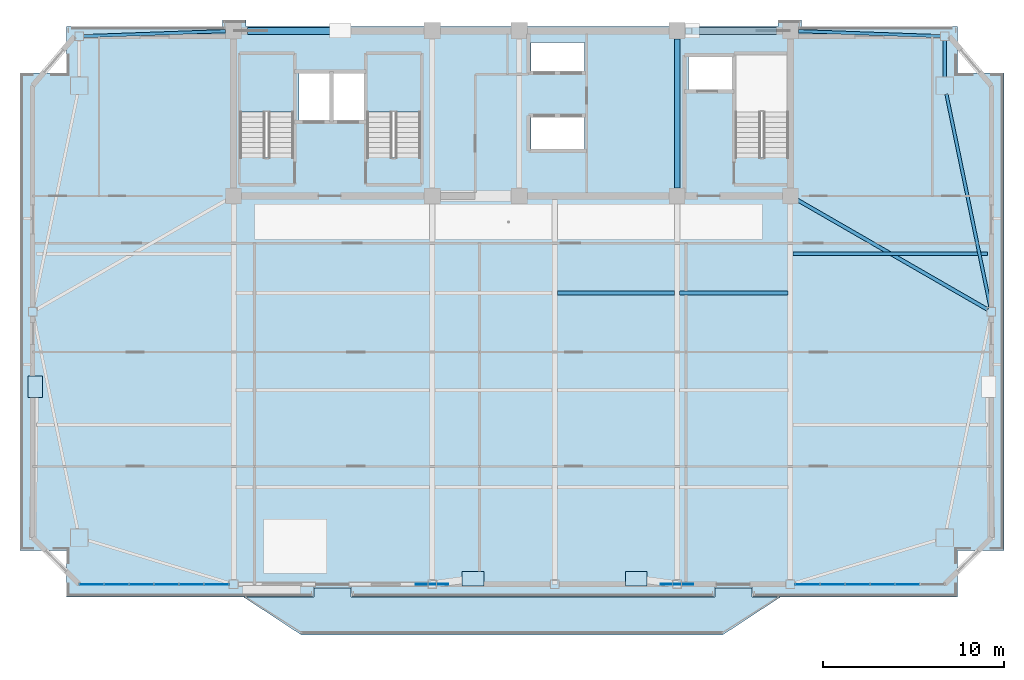
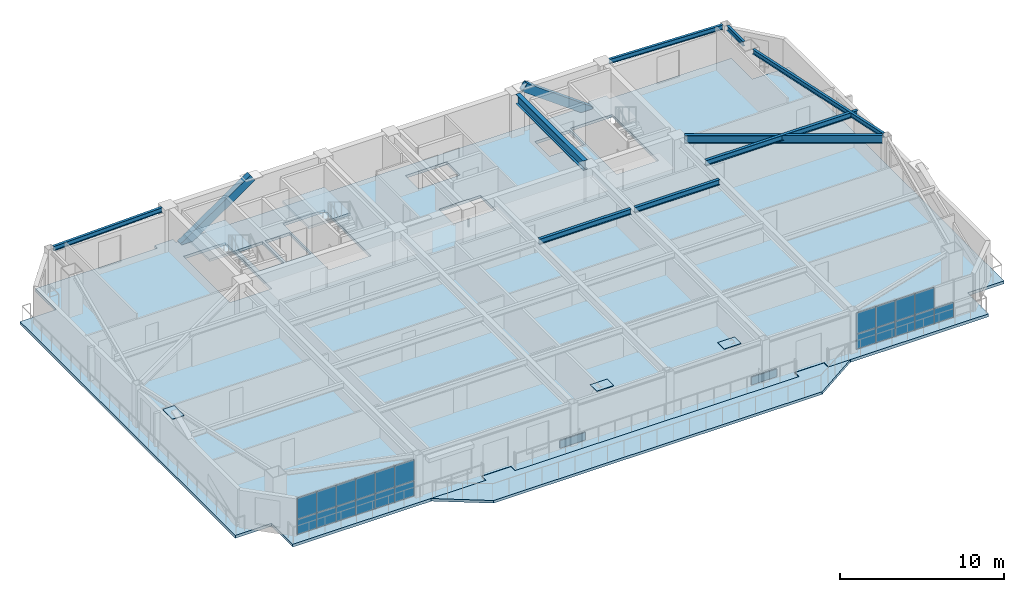
# One storey, part 7 of 18: 26 plates, 9 beams, 4 slabs, 2 members, 4 elements without a shape of their own.
"""IFC4 building model written with IfcOpenShell, lengths in metres."""

from ifc_helpers import new_model, si_unit, direction, frame, origin, origin_2d, place, context, subcontext, project, spatial, polyline, rectangle, hollow_rectangle, i_section, outline, extrude, source, transform, mapped, material, layer, layer_set, material_profile, profile_set, type_object, element, aggregate, save


model = new_model("IFC4")

# Units and contexts
model_context = context("Model", 3, precision=1e-05, world=origin(), true_north=direction((0.0, 1.0)))
body_context = subcontext(model_context, "Body", "Model", "MODEL_VIEW")
ifc_project = project(units=[si_unit("LENGTHUNIT", "METRE"), si_unit("AREAUNIT", "SQUARE_METRE"), si_unit("VOLUMEUNIT", "CUBIC_METRE"), si_unit("PLANEANGLEUNIT", "RADIAN"), si_unit("MASSUNIT", "GRAM", prefix="KILO")], contexts=[model_context])

# Site, building, storey
site_placement = place(None, origin())
site = spatial("IfcSite", under=ifc_project, at=site_placement, CompositionType="ELEMENT")
building_placement = place(site_placement, origin())
building = spatial("IfcBuilding", under=site, at=building_placement, Name="Giltprow Tower", CompositionType="ELEMENT")
storey_placement = place(building_placement, frame((0.0, 0.0, 258.699951171875)))
storey = spatial("IfcBuildingStorey", under=building, at=storey_placement, Name="L66", CompositionType="ELEMENT", Elevation=258.699951171875)

# Beams
ifc_material_1 = material(Name="Structural steel Q355B", Category="steel")
ifc_material_profile_1 = material_profile(ifc_material_1, i_section(OverallWidth=0.199951171875, OverallDepth=0.39990234375, WebThickness=0.008056640625, FlangeThickness=0.012939453125, at=origin_2d()), Name="HN 400x200x8x13")
ifc_profile_set_1 = profile_set([ifc_material_profile_1], Name="Structural steel Q355B")
beam_type_1 = type_object("IfcBeamType", Name="BM-JOIST-HN400", PredefinedType="JOIST", material=ifc_profile_set_1)
shared_shape_1 = source(origin(), body_context, "Body", "SweptSolid", [
    extrude(i_section(OverallWidth=0.199951171875, OverallDepth=0.39990234375, WebThickness=0.008056640625, FlangeThickness=0.012939453125, at=origin_2d()), origin(), (0.0, 0.0, 1.0), 6.4599609375),
])
beam_1_placement = place(storey_placement, frame((37.695068359375, 32.09912109375, 2.985107421875), z_axis=(1.0, 0.0, 0.0), x_axis=(0.0, 1.0, 0.0)))
element("IfcBeam", 1, at=beam_1_placement, inside=storey, type_object=beam_type_1, Name="L66 Composite Floor Joist 3-3", PredefinedType="JOIST", context=body_context, shape_type="MappedRepresentation", body=[
    mapped(shared_shape_1, transform((0.0, 0.0, 0.0), x_axis=(1.0, 0.0, 0.0), y_axis=(0.0, 1.0, 0.0), z_axis=(0.0, 0.0, 1.0), scale=1.0)),
])
shared_shape_2 = source(origin(), body_context, "Body", "SweptSolid", [
    extrude(i_section(OverallWidth=0.199951171875, OverallDepth=0.39990234375, WebThickness=0.008056640625, FlangeThickness=0.012939453125, at=origin_2d()), origin(), (0.0, 0.0, 1.0), 5.9599609375),
])
beam_2_placement = place(storey_placement, frame((44.445068359375, 32.09912109375, 2.985107421875), z_axis=(1.0, 0.0, 0.0), x_axis=(0.0, 1.0, 0.0)))
element("IfcBeam", 2, at=beam_2_placement, inside=storey, type_object=beam_type_1, Name="L66 Composite Floor Joist 3-4", PredefinedType="JOIST", context=body_context, shape_type="MappedRepresentation", body=[
    mapped(shared_shape_2, transform((0.0, 0.0, 0.0), x_axis=(1.0, 0.0, 0.0), y_axis=(0.0, 1.0, 0.0), z_axis=(0.0, 0.0, 1.0), scale=1.0)),
])
ifc_material_profile_2 = material_profile(ifc_material_1, i_section(OverallWidth=0.175048828125, OverallDepth=0.35009765625, WebThickness=0.007080078125, FlangeThickness=0.010986328125, at=origin_2d()), Name="HN 350x175x7x11")
ifc_profile_set_2 = profile_set([ifc_material_profile_2], Name="Structural steel Q355B")
beam_type_2 = type_object("IfcBeamType", Name="BM-SPAN-HN350", PredefinedType="SPANDREL", material=ifc_profile_set_2)
shared_shape_3 = source(origin(), body_context, "Body", "SweptSolid", [
    extrude(i_section(OverallWidth=0.175048828125, OverallDepth=0.35009765625, WebThickness=0.007080078125, FlangeThickness=0.010986328125, at=origin_2d()), origin(), (0.0, 0.0, 1.0), 12.000244140625),
])
beam_3_placement = place(storey_placement, frame((61.574951171875, 31.302001953125, 3.010009765625), z_axis=(-0.202000773979, 0.979385362006, 0.0), x_axis=(-0.979385362006, -0.202000773979, 0.0)))
element("IfcBeam", 3, at=beam_3_placement, inside=storey, type_object=beam_type_2, Name="L66 Perimeter Spandrel Beam E_MID-MC_NE", PredefinedType="SPANDREL", context=body_context, shape_type="MappedRepresentation", body=[
    mapped(shared_shape_3, transform((0.0, 0.0, 0.0), x_axis=(1.0, 0.0, 0.0), y_axis=(0.0, 1.0, 0.0), z_axis=(0.0, 0.0, 1.0), scale=1.0)),
])
shared_shape_4 = source(origin(), body_context, "Body", "SweptSolid", [
    extrude(i_section(OverallWidth=0.175048828125, OverallDepth=0.35009765625, WebThickness=0.007080078125, FlangeThickness=0.010986328125, at=origin_2d()), origin(), (0.0, 0.0, 1.0), 2.0),
])
beam_4_placement = place(storey_placement, frame((59.052978515625, 44.014892578125, 3.010009765625), z_axis=(0.0, 1.0, 0.0), x_axis=(-1.0, 0.0, 0.0)))
element("IfcBeam", 4, at=beam_4_placement, inside=storey, type_object=beam_type_2, Name="L66 Perimeter Spandrel Beam MC_NE-N_E", PredefinedType="SPANDREL", context=body_context, shape_type="MappedRepresentation", body=[
    mapped(shared_shape_4, transform((0.0, 0.0, 0.0), x_axis=(1.0, 0.0, 0.0), y_axis=(0.0, 1.0, 0.0), z_axis=(0.0, 0.0, 1.0), scale=1.0)),
])
shared_shape_5 = source(origin(), body_context, "Body", "SweptSolid", [
    extrude(i_section(OverallWidth=0.199951171875, OverallDepth=0.39990234375, WebThickness=0.008056640625, FlangeThickness=0.012939453125, at=origin_2d()), origin(), (0.0, 0.0, 1.0), 10.70703125),
])
beam_5_placement = place(storey_placement, frame((50.695068359375, 34.260986328125, 2.985107421875), z_axis=(1.0, 0.0, 0.0), x_axis=(0.0, 1.0, 0.0)))
element("IfcBeam", 5, at=beam_5_placement, inside=storey, type_object=beam_type_1, Name="L66 East Wing Floor Joist 2", PredefinedType="JOIST", context=body_context, shape_type="MappedRepresentation", body=[
    mapped(shared_shape_5, transform((0.0, 0.0, 0.0), x_axis=(1.0, 0.0, 0.0), y_axis=(0.0, 1.0, 0.0), z_axis=(0.0, 0.0, 1.0), scale=1.0)),
])
ifc_material_profile_3 = material_profile(ifc_material_1, i_section(OverallWidth=0.300048828125, OverallDepth=0.699951171875, WebThickness=0.012939453125, FlangeThickness=0.02392578125, at=origin_2d()), Name="HN 700x300x13x24")
ifc_profile_set_3 = profile_set([ifc_material_profile_3], Name="Structural steel Q355B")
beam_type_3 = type_object("IfcBeamType", Name="BM-GIRD-HN700", PredefinedType="BEAM", material=ifc_profile_set_3)
shared_shape_6 = source(origin(), body_context, "Body", "SweptSolid", [
    extrude(i_section(OverallWidth=0.300048828125, OverallDepth=0.699951171875, WebThickness=0.012939453125, FlangeThickness=0.02392578125, at=origin_2d()), origin(), (0.0, 0.0, 1.0), 8.22998046875),
])
beam_6_placement = place(storey_placement, frame((44.300048828125, 37.885009765625, 2.8349609375), z_axis=(0.0, 1.0, 0.0), x_axis=(-1.0, 0.0, 0.0)))
element("IfcBeam", 6, at=beam_6_placement, inside=storey, type_object=beam_type_3, Name="L66 Core Tie Girder M3", PredefinedType="BEAM", context=body_context, shape_type="MappedRepresentation", body=[
    mapped(shared_shape_6, transform((0.0, 0.0, 0.0), x_axis=(1.0, 0.0, 0.0), y_axis=(0.0, 1.0, 0.0), z_axis=(0.0, 0.0, 1.0), scale=1.0)),
])
shared_shape_7 = source(origin(), body_context, "Body", "SweptSolid", [
    extrude(i_section(OverallWidth=0.175048828125, OverallDepth=0.35009765625, WebThickness=0.007080078125, FlangeThickness=0.010986328125, at=origin_2d()), origin(), (0.0, 0.0, 1.0), 7.8369140625),
])
beam_7_placement = place(storey_placement, frame((11.5830078125, 46.258056640625, 3.010009765625), z_axis=(0.999375804521, 0.035327062417, 0.0), x_axis=(-0.035327062417, 0.999375804521, 0.0)))
element("IfcBeam", 7, at=beam_7_placement, inside=storey, type_object=beam_type_2, Name="L66 North Wing Spandrel W", PredefinedType="SPANDREL", context=body_context, shape_type="MappedRepresentation", body=[
    mapped(shared_shape_7, transform((0.0, 0.0, 0.0), x_axis=(1.0, 0.0, 0.0), y_axis=(0.0, 1.0, 0.0), z_axis=(0.0, 0.0, 1.0), scale=1.0)),
])
shared_shape_8 = source(origin(), body_context, "Body", "SweptSolid", [
    extrude(i_section(OverallWidth=0.175048828125, OverallDepth=0.35009765625, WebThickness=0.007080078125, FlangeThickness=0.010986328125, at=origin_2d()), origin(), (0.0, 0.0, 1.0), 7.837890625),
])
beam_8_placement = place(storey_placement, frame((50.985107421875, 46.534912109375, 3.010009765625), z_axis=(0.999375960005, -0.035322663591, 0.0), x_axis=(0.035322663591, 0.999375960005, 0.0)))
element("IfcBeam", 8, at=beam_8_placement, inside=storey, type_object=beam_type_2, Name="L66 North Wing Spandrel E", PredefinedType="SPANDREL", context=body_context, shape_type="MappedRepresentation", body=[
    mapped(shared_shape_8, transform((0.0, 0.0, 0.0), x_axis=(1.0, 0.0, 0.0), y_axis=(0.0, 1.0, 0.0), z_axis=(0.0, 0.0, 1.0), scale=1.0)),
])
ifc_material_profile_4 = material_profile(ifc_material_1, i_section(OverallWidth=0.199951171875, OverallDepth=0.60009765625, WebThickness=0.010986328125, FlangeThickness=0.01708984375, at=origin_2d()), Name="HN 600x200x11x17")
ifc_profile_set_4 = profile_set([ifc_material_profile_4], Name="Structural steel Q355B")
beam_type_4 = type_object("IfcBeamType", Name="BM-GIRD-HN600", PredefinedType="BEAM", material=ifc_profile_set_4)
shared_shape_9 = source(origin(), body_context, "Body", "SweptSolid", [
    extrude(i_section(OverallWidth=0.199951171875, OverallDepth=0.60009765625, WebThickness=0.010986328125, FlangeThickness=0.01708984375, at=origin_2d()), origin(), (0.0, 0.0, 1.0), 12.107421875),
])
beam_9_placement = place(storey_placement, frame((61.41796875, 31.18896484375, 2.885009765625), z_axis=(-0.86649057832, 0.499193427123, 0.0), x_axis=(-0.499193427123, -0.86649057832, 0.0)))
element("IfcBeam", 9, at=beam_9_placement, inside=storey, type_object=beam_type_4, Name="L66 East Wing Primary Girder", PredefinedType="BEAM", context=body_context, shape_type="MappedRepresentation", body=[
    mapped(shared_shape_9, transform((0.0, 0.0, 0.0), x_axis=(1.0, 0.0, 0.0), y_axis=(0.0, 1.0, 0.0), z_axis=(0.0, 0.0, 1.0), scale=1.0)),
])

# Members
ifc_material_2 = material(Name="Structural steel Q420GJC", Category="steel")
ifc_material_profile_5 = material_profile(ifc_material_2, hollow_rectangle(XDim=0.39990234375, YDim=0.60009765625, WallThickness=0.028076171875, at=origin_2d()), Name="RHS 600x400x28")
ifc_profile_set_5 = profile_set([ifc_material_profile_5], Name="Structural steel Q420GJC")
member_type = type_object("IfcMemberType", Name="MBR-MEGA-RHS600", PredefinedType="BRACE", material=ifc_profile_set_5)
shared_shape_10 = source(origin(), body_context, "Body", "SweptSolid", [
    extrude(hollow_rectangle(XDim=0.39990234375, YDim=0.60009765625, WallThickness=0.028076171875, at=origin_2d()), origin(), (0.0, 0.0, 1.0), 5.990966796875),
])
member_1_placement = place(storey_placement, frame((20.800048828125, 46.550048828125, -0.139892578125), z_axis=(0.823374311816, 0.0, 0.56749867193), x_axis=(0.0, 1.0, 0.0)))
element("IfcMember", 10, at=member_1_placement, inside=storey, type_object=member_type, Name="L66 Chevron Mega-Brace N-L", PredefinedType="BRACE", context=body_context, shape_type="MappedRepresentation", body=[
    mapped(shared_shape_10, transform((0.0, 0.0, 0.0), x_axis=(1.0, 0.0, 0.0), y_axis=(0.0, 1.0, 0.0), z_axis=(0.0, 0.0, 1.0), scale=1.0)),
])
shared_shape_11 = source(origin(), body_context, "Body", "SweptSolid", [
    extrude(hollow_rectangle(XDim=0.39990234375, YDim=0.60009765625, WallThickness=0.028076171875, at=origin_2d()), origin(), (0.0, 0.0, 1.0), 5.774169921875),
])
member_2_placement = place(storey_placement, frame((49.60009765625, 46.550048828125, -0.139892578125), z_axis=(-0.808264093398, 0.0, 0.588820138348), x_axis=(0.0, -1.0, 0.0)))
element("IfcMember", 11, at=member_2_placement, inside=storey, type_object=member_type, Name="L66 Chevron Mega-Brace N-R", PredefinedType="BRACE", context=body_context, shape_type="MappedRepresentation", body=[
    mapped(shared_shape_11, transform((0.0, 0.0, 0.0), x_axis=(1.0, 0.0, 0.0), y_axis=(0.0, 1.0, 0.0), z_axis=(0.0, 0.0, 1.0), scale=1.0)),
])

# Slabs
ifc_material_3 = material(Name="Concrete C40", Category="concrete")
ifc_layer_1 = layer(ifc_material_3, 0.199951171875, Name="Concrete C40")
ifc_layer_set_1 = layer_set([ifc_layer_1], Name="Concrete C40")
slab_type_1 = type_object("IfcSlabType", Name="SLB-BALC-BRONZE-200", PredefinedType="FLOOR", material=ifc_layer_set_1)
slab_1_placement = place(storey_placement, frame((0.0, 0.0, -0.199951171875)))
element("IfcSlab", 12, at=slab_1_placement, inside=storey, type_object=slab_type_1, Name="L66 Bronze Prow Waterfront Balcony Slab", PredefinedType="FLOOR", context=body_context, shape_type="SweptSolid", body=[
    extrude(outline(polyline([(50.0, 15.344970703125), (46.800048828125, 13.2451171875), (23.60009765625, 13.2451171875), (20.39990234375, 15.344970703125), (24.280029296875, 15.344970703125), (24.280029296875, 15.844970703125), (26.320068359375, 15.844970703125), (26.320068359375, 15.344970703125), (46.3798828125, 15.344970703125), (46.3798828125, 15.844970703125), (48.419921875, 15.844970703125), (48.419921875, 15.344970703125), (50.0, 15.344970703125)])), origin(), (0.0, 0.0, 1.0), 0.199951171875),
])
ifc_layer_2 = layer(ifc_material_3, 0.215087890625, Name="Concrete C40")
ifc_layer_set_2 = layer_set([ifc_layer_2], Name="Concrete C40")
slab_type_2 = type_object("IfcSlabType", Name="SLB-RES-215", PredefinedType="FLOOR", material=ifc_layer_set_2)
slab_2_placement = place(storey_placement, frame((0.0, 0.0, -0.21484375)))
element("IfcSlab", 13, at=slab_2_placement, inside=storey, type_object=slab_type_2, Name="L66 Structural Composite Floor Slab", PredefinedType="FLOOR", context=body_context, shape_type="SweptSolid", body=[
    extrude(outline(polyline([(62.322021484375, 44.22998046875), (62.322021484375, 17.9130859375), (59.751953125, 17.9130859375), (59.751953125, 15.344970703125), (48.449951171875, 15.344970703125), (48.449951171875, 15.864990234375), (46.35009765625, 15.864990234375), (46.35009765625, 15.344970703125), (26.35009765625, 15.344970703125), (26.35009765625, 15.864990234375), (24.25, 15.864990234375), (24.25, 15.344970703125), (10.64794921875, 15.344970703125), (10.64794921875, 17.9130859375), (8.0791015625, 17.9130859375), (8.0791015625, 44.22998046875), (10.64794921875, 44.22998046875), (10.64794921875, 46.799072265625), (19.25, 46.799072265625), (19.25, 47.14990234375), (20.550048828125, 47.14990234375), (20.550048828125, 46.799072265625), (49.85009765625, 46.799072265625), (49.85009765625, 47.14990234375), (51.14990234375, 47.14990234375), (51.14990234375, 46.799072265625), (59.751953125, 46.799072265625), (59.751953125, 44.22998046875), (62.322021484375, 44.22998046875)]), holes=[polyline([(39.18994140625, 41.800048828125), (36.239990234375, 41.800048828125), (36.239990234375, 40.0), (39.18994140625, 40.0), (39.18994140625, 41.800048828125)]), polyline([(23.159912109375, 39.570068359375), (23.159912109375, 45.25), (20.199951171875, 45.25), (20.199951171875, 39.570068359375), (23.159912109375, 39.570068359375)]), polyline([(30.159912109375, 39.570068359375), (30.159912109375, 45.25), (27.199951171875, 45.25), (27.199951171875, 39.570068359375), (30.159912109375, 39.570068359375)]), polyline([(50.4599609375, 45.25), (47.5, 45.25), (47.5, 39.570068359375), (50.4599609375, 39.570068359375), (50.4599609375, 45.25)]), polyline([(25.169921875, 44.199951171875), (23.449951171875, 44.199951171875), (23.449951171875, 41.60009765625), (25.169921875, 41.60009765625), (25.169921875, 44.199951171875)]), polyline([(27.10009765625, 44.199951171875), (25.35009765625, 44.199951171875), (25.35009765625, 41.60009765625), (27.10009765625, 41.60009765625), (27.10009765625, 44.199951171875)]), polyline([(47.3798828125, 43.300048828125), (47.3798828125, 45.10009765625), (44.919921875, 45.10009765625), (44.919921875, 43.300048828125), (47.3798828125, 43.300048828125)]), polyline([(39.18994140625, 44.300048828125), (39.18994140625, 45.919921875), (36.239990234375, 45.919921875), (36.239990234375, 44.300048828125), (39.18994140625, 44.300048828125)])]), origin(), (0.0, 0.0, 1.0), 0.21484375),
])

# Stair, slab
stair_type_1 = type_object("IfcStairType", Name="STR-ST-1", PredefinedType="HALF_TURN_STAIR", material=ifc_material_3)
stair_1_placement = place(storey_placement, origin())
stair_1 = element("IfcStair", 14, at=stair_1_placement, inside=storey, type_object=stair_type_1, Name="L66 Core Exit Stair ST-1", PredefinedType="HALF_TURN_STAIR")
ifc_layer_3 = layer(ifc_material_3, 0.179931640625, Name="Concrete C40")
ifc_layer_set_3 = layer_set([ifc_layer_3], Name="Concrete C40")
slab_type_3 = type_object("IfcSlabType", Name="SLD-ST-1", PredefinedType="LANDING", material=ifc_layer_set_3)
slab_3_placement = place(storey_placement, frame((0.0, 0.0, 1.52001953125)))
slab_3 = element("IfcSlab", 15, at=slab_3_placement, type_object=slab_type_3, Name="ST-1 landing 1", PredefinedType="LANDING", context=body_context, shape_type="SweptSolid", body=[
    extrude(outline(polyline([(23.159912109375, 42.070068359375), (23.159912109375, 45.25), (20.199951171875, 45.25), (20.199951171875, 42.070068359375), (23.159912109375, 42.070068359375)])), origin(), (0.0, 0.0, 1.0), 0.179931640625),
])
aggregate(stair_1, [slab_3])

stair_type_2 = type_object("IfcStairType", Name="STR-ST-2", PredefinedType="HALF_TURN_STAIR", material=ifc_material_3)
stair_2_placement = place(storey_placement, origin())
stair_2 = element("IfcStair", 16, at=stair_2_placement, inside=storey, type_object=stair_type_2, Name="L66 Core Exit Stair ST-2", PredefinedType="HALF_TURN_STAIR")
ifc_layer_4 = layer(ifc_material_3, 0.18798828125, Name="Concrete C40")
ifc_layer_set_4 = layer_set([ifc_layer_4], Name="Concrete C40")
slab_type_4 = type_object("IfcSlabType", Name="SLD-ST-2", PredefinedType="LANDING", material=ifc_layer_set_4)
slab_4_placement = place(storey_placement, frame((0.0, 0.0, 1.511962890625)))
slab_4 = element("IfcSlab", 17, at=slab_4_placement, type_object=slab_type_4, Name="ST-2 landing 1", PredefinedType="LANDING", context=body_context, shape_type="SweptSolid", body=[
    extrude(outline(polyline([(30.159912109375, 42.070068359375), (30.159912109375, 45.25), (27.199951171875, 45.25), (27.199951171875, 42.070068359375), (30.159912109375, 42.070068359375)])), origin(), (0.0, 0.0, 1.0), 0.18798828125),
])
aggregate(stair_2, [slab_4])

# Plates
plate_type_1 = type_object("IfcPlateType", Name="PLT-NODE-MBN1", PredefinedType="USERDEFINED", material=ifc_material_2)
shared_shape_12 = source(origin(), body_context, "Body", "SweptSolid", [
    extrude(rectangle(XDim=1.800048828125, YDim=0.050048828125, at=origin_2d()), origin(), (0.0, 0.0, 1.0), 1.14990234375),
])
for number, where, z_axis, x_axis, name in (
    (18, (30.800048828125, 16.044921875, -0.574951171875), (0.0, 0.0, 1.0), (1.0, 0.0, 0.0), "Mega-Brace Node L66-S-LA"),
    (19, (44.300048828125, 16.044921875, -0.574951171875), (0.0, 0.0, 1.0), (1.0, 0.0, 0.0), "Mega-Brace Node L66-S-RA"),
):
    element("IfcPlate", number, at=place(storey_placement, frame(where, z_axis=z_axis, x_axis=x_axis)), inside=storey, type_object=plate_type_1, Name=name, ObjectType="GUSSET", PredefinedType="USERDEFINED", context=body_context, shape_type="MappedRepresentation", body=[
        mapped(shared_shape_12, transform((0.0, 0.0, 0.0), x_axis=(1.0, 0.0, 0.0), y_axis=(0.0, 1.0, 0.0), z_axis=(0.0, 0.0, 1.0), scale=1.0)),
    ])
plate_type_2 = type_object("IfcPlateType", Name="PLT-CAP-SEAL", PredefinedType="USERDEFINED", material=ifc_material_2)
shared_shape_13 = source(origin(), body_context, "Body", "SweptSolid", [
    extrude(rectangle(XDim=1.199951171875, YDim=0.800048828125, at=origin_2d()), origin(), (0.0, 0.0, 1.0), 0.034912109375),
])
for number, where, z_axis, x_axis, name in (
    (20, (33.050048828125, 16.35498046875, 3.3828125), (0.0, 0.0, 1.0), (1.0, 0.0, 0.0), "Mega-Brace Node L66-S-LB"),
    (21, (42.050048828125, 16.35498046875, 3.3828125), (0.0, 0.0, 1.0), (1.0, 0.0, 0.0), "Mega-Brace Node L66-S-RB"),
    (22, (8.9169921875, 26.93505859375, 3.3828125), (0.0, 0.0, 1.0), (0.0, 1.0, 0.0), "Mega-Brace Node L66-W-DB"),
):
    element("IfcPlate", number, at=place(storey_placement, frame(where, z_axis=z_axis, x_axis=x_axis)), inside=storey, type_object=plate_type_2, Name=name, ObjectType="SPLICE", PredefinedType="USERDEFINED", context=body_context, shape_type="MappedRepresentation", body=[
        mapped(shared_shape_13, transform((0.0, 0.0, 0.0), x_axis=(1.0, 0.0, 0.0), y_axis=(0.0, 1.0, 0.0), z_axis=(0.0, 0.0, 1.0), scale=1.0)),
    ])

# Curtain wall, plates
ifc_material_4 = material(Name="Anodized bronze", Category="metal")
ifc_layer_5 = layer(ifc_material_4, 0.179931640625, Name="Anodized bronze")
ifc_layer_set_5 = layer_set([ifc_layer_5], Name="Anodized bronze")
curtain_wall_type = type_object("IfcCurtainWallType", Name="CW-RES-SKY", PredefinedType="NOTDEFINED", material=ifc_layer_set_5)
curtain_wall_1_placement = place(storey_placement, origin())
curtain_wall_1 = element("IfcCurtainWall", 23, at=curtain_wall_1_placement, inside=storey, type_object=curtain_wall_type, Name="L66 South Recessed Curtain Wall 1", PredefinedType="NOTDEFINED")
ifc_material_5 = material(Name="Insulated glass", Category="glass")
plate_type_3 = type_object("IfcPlateType", Name="CW-PANEL-IGU-28", PredefinedType="CURTAIN_PANEL", material=ifc_material_5)
shared_shape_14 = source(origin(), body_context, "Body", "SweptSolid", [
    extrude(rectangle(XDim=1.344970703125, YDim=0.028076171875, at=origin_2d()), origin(), (0.0, 0.0, 1.0), 1.114013671875),
])
plate_1_placement = place(storey_placement, frame((12.035888671875, 16.044921875, 0.05419921875), z_axis=(0.0, 0.0, 1.0), x_axis=(1.0, 0.0, 0.0)))
plate_1 = element("IfcPlate", 24, at=plate_1_placement, type_object=plate_type_3, Name="L66 South Recessed Curtain Wall 1 Glazing Panel 1-1", PredefinedType="CURTAIN_PANEL", context=body_context, shape_type="MappedRepresentation", body=[
    mapped(shared_shape_14, transform((0.0, 0.0, 0.0), x_axis=(1.0, 0.0, 0.0), y_axis=(0.0, 1.0, 0.0), z_axis=(0.0, 0.0, 1.0), scale=1.0)),
])
plate_2_placement = place(storey_placement, frame((13.410888671875, 16.044921875, 0.05419921875), z_axis=(0.0, 0.0, 1.0), x_axis=(1.0, 0.0, 0.0)))
plate_2 = element("IfcPlate", 25, at=plate_2_placement, type_object=plate_type_3, Name="L66 South Recessed Curtain Wall 1 Glazing Panel 2-1", PredefinedType="CURTAIN_PANEL", context=body_context, shape_type="MappedRepresentation", body=[
    mapped(shared_shape_14, transform((0.0, 0.0, 0.0), x_axis=(1.0, 0.0, 0.0), y_axis=(0.0, 1.0, 0.0), z_axis=(0.0, 0.0, 1.0), scale=1.0)),
])
plate_3_placement = place(storey_placement, frame((14.785888671875, 16.044921875, 0.05419921875), z_axis=(0.0, 0.0, 1.0), x_axis=(1.0, 0.0, 0.0)))
plate_3 = element("IfcPlate", 26, at=plate_3_placement, type_object=plate_type_3, Name="L66 South Recessed Curtain Wall 1 Glazing Panel 3-1", PredefinedType="CURTAIN_PANEL", context=body_context, shape_type="MappedRepresentation", body=[
    mapped(shared_shape_14, transform((0.0, 0.0, 0.0), x_axis=(1.0, 0.0, 0.0), y_axis=(0.0, 1.0, 0.0), z_axis=(0.0, 0.0, 1.0), scale=1.0)),
])
plate_4_placement = place(storey_placement, frame((16.162109375, 16.044921875, 0.05419921875), z_axis=(0.0, 0.0, 1.0), x_axis=(1.0, 0.0, 0.0)))
plate_4 = element("IfcPlate", 27, at=plate_4_placement, type_object=plate_type_3, Name="L66 South Recessed Curtain Wall 1 Glazing Panel 4-1", PredefinedType="CURTAIN_PANEL", context=body_context, shape_type="MappedRepresentation", body=[
    mapped(shared_shape_14, transform((0.0, 0.0, 0.0), x_axis=(1.0, 0.0, 0.0), y_axis=(0.0, 1.0, 0.0), z_axis=(0.0, 0.0, 1.0), scale=1.0)),
])
plate_5_placement = place(storey_placement, frame((17.537109375, 16.044921875, 0.05419921875), z_axis=(0.0, 0.0, 1.0), x_axis=(1.0, 0.0, 0.0)))
plate_5 = element("IfcPlate", 28, at=plate_5_placement, type_object=plate_type_3, Name="L66 South Recessed Curtain Wall 1 Glazing Panel 5-1", PredefinedType="CURTAIN_PANEL", context=body_context, shape_type="MappedRepresentation", body=[
    mapped(shared_shape_14, transform((0.0, 0.0, 0.0), x_axis=(1.0, 0.0, 0.0), y_axis=(0.0, 1.0, 0.0), z_axis=(0.0, 0.0, 1.0), scale=1.0)),
])
plate_6_placement = place(storey_placement, frame((18.912109375, 16.044921875, 0.05419921875), z_axis=(0.0, 0.0, 1.0), x_axis=(1.0, 0.0, 0.0)))
plate_6 = element("IfcPlate", 29, at=plate_6_placement, type_object=plate_type_3, Name="L66 South Recessed Curtain Wall 1 Glazing Panel 6-1", PredefinedType="CURTAIN_PANEL", context=body_context, shape_type="MappedRepresentation", body=[
    mapped(shared_shape_14, transform((0.0, 0.0, 0.0), x_axis=(1.0, 0.0, 0.0), y_axis=(0.0, 1.0, 0.0), z_axis=(0.0, 0.0, 1.0), scale=1.0)),
])

# Curtain wall, plate
curtain_wall_2_placement = place(storey_placement, origin())
curtain_wall_2 = element("IfcCurtainWall", 30, at=curtain_wall_2_placement, inside=storey, type_object=curtain_wall_type, Name="L66 South Recessed Curtain Wall 6", PredefinedType="NOTDEFINED")
plate_7_placement = place(storey_placement, frame((51.488037109375, 16.044921875, 0.05419921875), z_axis=(0.0, 0.0, 1.0), x_axis=(1.0, 0.0, 0.0)))
plate_7 = element("IfcPlate", 31, at=plate_7_placement, type_object=plate_type_3, Name="L66 South Recessed Curtain Wall 6 Glazing Panel 1-1", PredefinedType="CURTAIN_PANEL", context=body_context, shape_type="MappedRepresentation", body=[
    mapped(shared_shape_14, transform((0.0, 0.0, 0.0), x_axis=(1.0, 0.0, 0.0), y_axis=(0.0, 1.0, 0.0), z_axis=(0.0, 0.0, 1.0), scale=1.0)),
])

# Plate
shared_shape_15 = source(origin(), body_context, "Body", "SweptSolid", [
    extrude(rectangle(XDim=1.344970703125, YDim=0.028076171875, at=origin_2d()), origin(), (0.0, 0.0, 1.0), 1.56494140625),
])
plate_8_placement = place(storey_placement, frame((12.035888671875, 16.044921875, 1.195556640625), z_axis=(0.0, 0.0, 1.0), x_axis=(1.0, 0.0, 0.0)))
plate_8 = element("IfcPlate", 32, at=plate_8_placement, type_object=plate_type_3, Name="L66 South Recessed Curtain Wall 1 Glazing Panel 1-2", PredefinedType="CURTAIN_PANEL", context=body_context, shape_type="MappedRepresentation", body=[
    mapped(shared_shape_15, transform((0.0, 0.0, 0.0), x_axis=(1.0, 0.0, 0.0), y_axis=(0.0, 1.0, 0.0), z_axis=(0.0, 0.0, 1.0), scale=1.0)),
])

plate_9_placement = place(storey_placement, frame((13.410888671875, 16.044921875, 1.195556640625), z_axis=(0.0, 0.0, 1.0), x_axis=(1.0, 0.0, 0.0)))
plate_9 = element("IfcPlate", 33, at=plate_9_placement, type_object=plate_type_3, Name="L66 South Recessed Curtain Wall 1 Glazing Panel 2-2", PredefinedType="CURTAIN_PANEL", context=body_context, shape_type="MappedRepresentation", body=[
    mapped(shared_shape_15, transform((0.0, 0.0, 0.0), x_axis=(1.0, 0.0, 0.0), y_axis=(0.0, 1.0, 0.0), z_axis=(0.0, 0.0, 1.0), scale=1.0)),
])

plate_10_placement = place(storey_placement, frame((14.785888671875, 16.044921875, 1.195556640625), z_axis=(0.0, 0.0, 1.0), x_axis=(1.0, 0.0, 0.0)))
plate_10 = element("IfcPlate", 34, at=plate_10_placement, type_object=plate_type_3, Name="L66 South Recessed Curtain Wall 1 Glazing Panel 3-2", PredefinedType="CURTAIN_PANEL", context=body_context, shape_type="MappedRepresentation", body=[
    mapped(shared_shape_15, transform((0.0, 0.0, 0.0), x_axis=(1.0, 0.0, 0.0), y_axis=(0.0, 1.0, 0.0), z_axis=(0.0, 0.0, 1.0), scale=1.0)),
])

plate_11_placement = place(storey_placement, frame((16.162109375, 16.044921875, 1.195556640625), z_axis=(0.0, 0.0, 1.0), x_axis=(1.0, 0.0, 0.0)))
plate_11 = element("IfcPlate", 35, at=plate_11_placement, type_object=plate_type_3, Name="L66 South Recessed Curtain Wall 1 Glazing Panel 4-2", PredefinedType="CURTAIN_PANEL", context=body_context, shape_type="MappedRepresentation", body=[
    mapped(shared_shape_15, transform((0.0, 0.0, 0.0), x_axis=(1.0, 0.0, 0.0), y_axis=(0.0, 1.0, 0.0), z_axis=(0.0, 0.0, 1.0), scale=1.0)),
])

plate_12_placement = place(storey_placement, frame((17.537109375, 16.044921875, 1.195556640625), z_axis=(0.0, 0.0, 1.0), x_axis=(1.0, 0.0, 0.0)))
plate_12 = element("IfcPlate", 36, at=plate_12_placement, type_object=plate_type_3, Name="L66 South Recessed Curtain Wall 1 Glazing Panel 5-2", PredefinedType="CURTAIN_PANEL", context=body_context, shape_type="MappedRepresentation", body=[
    mapped(shared_shape_15, transform((0.0, 0.0, 0.0), x_axis=(1.0, 0.0, 0.0), y_axis=(0.0, 1.0, 0.0), z_axis=(0.0, 0.0, 1.0), scale=1.0)),
])

plate_13_placement = place(storey_placement, frame((18.912109375, 16.044921875, 1.195556640625), z_axis=(0.0, 0.0, 1.0), x_axis=(1.0, 0.0, 0.0)))
plate_13 = element("IfcPlate", 37, at=plate_13_placement, type_object=plate_type_3, Name="L66 South Recessed Curtain Wall 1 Glazing Panel 6-2", PredefinedType="CURTAIN_PANEL", context=body_context, shape_type="MappedRepresentation", body=[
    mapped(shared_shape_15, transform((0.0, 0.0, 0.0), x_axis=(1.0, 0.0, 0.0), y_axis=(0.0, 1.0, 0.0), z_axis=(0.0, 0.0, 1.0), scale=1.0)),
])

aggregate(curtain_wall_1, [plate_1, plate_8, plate_2, plate_9, plate_3, plate_10, plate_4, plate_11, plate_5, plate_12, plate_6, plate_13])

plate_14_placement = place(storey_placement, frame((51.488037109375, 16.044921875, 1.195556640625), z_axis=(0.0, 0.0, 1.0), x_axis=(1.0, 0.0, 0.0)))
plate_14 = element("IfcPlate", 38, at=plate_14_placement, type_object=plate_type_3, Name="L66 South Recessed Curtain Wall 6 Glazing Panel 1-2", PredefinedType="CURTAIN_PANEL", context=body_context, shape_type="MappedRepresentation", body=[
    mapped(shared_shape_15, transform((0.0, 0.0, 0.0), x_axis=(1.0, 0.0, 0.0), y_axis=(0.0, 1.0, 0.0), z_axis=(0.0, 0.0, 1.0), scale=1.0)),
])

shared_shape_16 = source(origin(), body_context, "Body", "SweptSolid", [
    extrude(rectangle(XDim=1.345947265625, YDim=0.028076171875, at=origin_2d()), origin(), (0.0, 0.0, 1.0), 1.114013671875),
])
plate_15_placement = place(storey_placement, frame((52.863037109375, 16.044921875, 0.05419921875), z_axis=(0.0, 0.0, 1.0), x_axis=(1.0, 0.0, 0.0)))
plate_15 = element("IfcPlate", 39, at=plate_15_placement, type_object=plate_type_3, Name="L66 South Recessed Curtain Wall 6 Glazing Panel 2-1", PredefinedType="CURTAIN_PANEL", context=body_context, shape_type="MappedRepresentation", body=[
    mapped(shared_shape_16, transform((0.0, 0.0, 0.0), x_axis=(1.0, 0.0, 0.0), y_axis=(0.0, 1.0, 0.0), z_axis=(0.0, 0.0, 1.0), scale=1.0)),
])

plate_16_placement = place(storey_placement, frame((54.239013671875, 16.044921875, 0.05419921875), z_axis=(0.0, 0.0, 1.0), x_axis=(1.0, 0.0, 0.0)))
plate_16 = element("IfcPlate", 40, at=plate_16_placement, type_object=plate_type_3, Name="L66 South Recessed Curtain Wall 6 Glazing Panel 3-1", PredefinedType="CURTAIN_PANEL", context=body_context, shape_type="MappedRepresentation", body=[
    mapped(shared_shape_16, transform((0.0, 0.0, 0.0), x_axis=(1.0, 0.0, 0.0), y_axis=(0.0, 1.0, 0.0), z_axis=(0.0, 0.0, 1.0), scale=1.0)),
])

plate_17_placement = place(storey_placement, frame((55.614013671875, 16.044921875, 0.05419921875), z_axis=(0.0, 0.0, 1.0), x_axis=(1.0, 0.0, 0.0)))
plate_17 = element("IfcPlate", 41, at=plate_17_placement, type_object=plate_type_3, Name="L66 South Recessed Curtain Wall 6 Glazing Panel 4-1", PredefinedType="CURTAIN_PANEL", context=body_context, shape_type="MappedRepresentation", body=[
    mapped(shared_shape_16, transform((0.0, 0.0, 0.0), x_axis=(1.0, 0.0, 0.0), y_axis=(0.0, 1.0, 0.0), z_axis=(0.0, 0.0, 1.0), scale=1.0)),
])

plate_18_placement = place(storey_placement, frame((56.989990234375, 16.044921875, 0.05419921875), z_axis=(0.0, 0.0, 1.0), x_axis=(1.0, 0.0, 0.0)))
plate_18 = element("IfcPlate", 42, at=plate_18_placement, type_object=plate_type_3, Name="L66 South Recessed Curtain Wall 6 Glazing Panel 5-1", PredefinedType="CURTAIN_PANEL", context=body_context, shape_type="MappedRepresentation", body=[
    mapped(shared_shape_16, transform((0.0, 0.0, 0.0), x_axis=(1.0, 0.0, 0.0), y_axis=(0.0, 1.0, 0.0), z_axis=(0.0, 0.0, 1.0), scale=1.0)),
])

shared_shape_17 = source(origin(), body_context, "Body", "SweptSolid", [
    extrude(rectangle(XDim=1.345947265625, YDim=0.028076171875, at=origin_2d()), origin(), (0.0, 0.0, 1.0), 1.56494140625),
])
plate_19_placement = place(storey_placement, frame((52.863037109375, 16.044921875, 1.195556640625), z_axis=(0.0, 0.0, 1.0), x_axis=(1.0, 0.0, 0.0)))
plate_19 = element("IfcPlate", 43, at=plate_19_placement, type_object=plate_type_3, Name="L66 South Recessed Curtain Wall 6 Glazing Panel 2-2", PredefinedType="CURTAIN_PANEL", context=body_context, shape_type="MappedRepresentation", body=[
    mapped(shared_shape_17, transform((0.0, 0.0, 0.0), x_axis=(1.0, 0.0, 0.0), y_axis=(0.0, 1.0, 0.0), z_axis=(0.0, 0.0, 1.0), scale=1.0)),
])

plate_20_placement = place(storey_placement, frame((54.239013671875, 16.044921875, 1.195556640625), z_axis=(0.0, 0.0, 1.0), x_axis=(1.0, 0.0, 0.0)))
plate_20 = element("IfcPlate", 44, at=plate_20_placement, type_object=plate_type_3, Name="L66 South Recessed Curtain Wall 6 Glazing Panel 3-2", PredefinedType="CURTAIN_PANEL", context=body_context, shape_type="MappedRepresentation", body=[
    mapped(shared_shape_17, transform((0.0, 0.0, 0.0), x_axis=(1.0, 0.0, 0.0), y_axis=(0.0, 1.0, 0.0), z_axis=(0.0, 0.0, 1.0), scale=1.0)),
])

plate_21_placement = place(storey_placement, frame((55.614013671875, 16.044921875, 1.195556640625), z_axis=(0.0, 0.0, 1.0), x_axis=(1.0, 0.0, 0.0)))
plate_21 = element("IfcPlate", 45, at=plate_21_placement, type_object=plate_type_3, Name="L66 South Recessed Curtain Wall 6 Glazing Panel 4-2", PredefinedType="CURTAIN_PANEL", context=body_context, shape_type="MappedRepresentation", body=[
    mapped(shared_shape_17, transform((0.0, 0.0, 0.0), x_axis=(1.0, 0.0, 0.0), y_axis=(0.0, 1.0, 0.0), z_axis=(0.0, 0.0, 1.0), scale=1.0)),
])

aggregate(curtain_wall_2, [plate_7, plate_14, plate_15, plate_19, plate_16, plate_20, plate_17, plate_21, plate_18])

save(model, "model.ifc")
